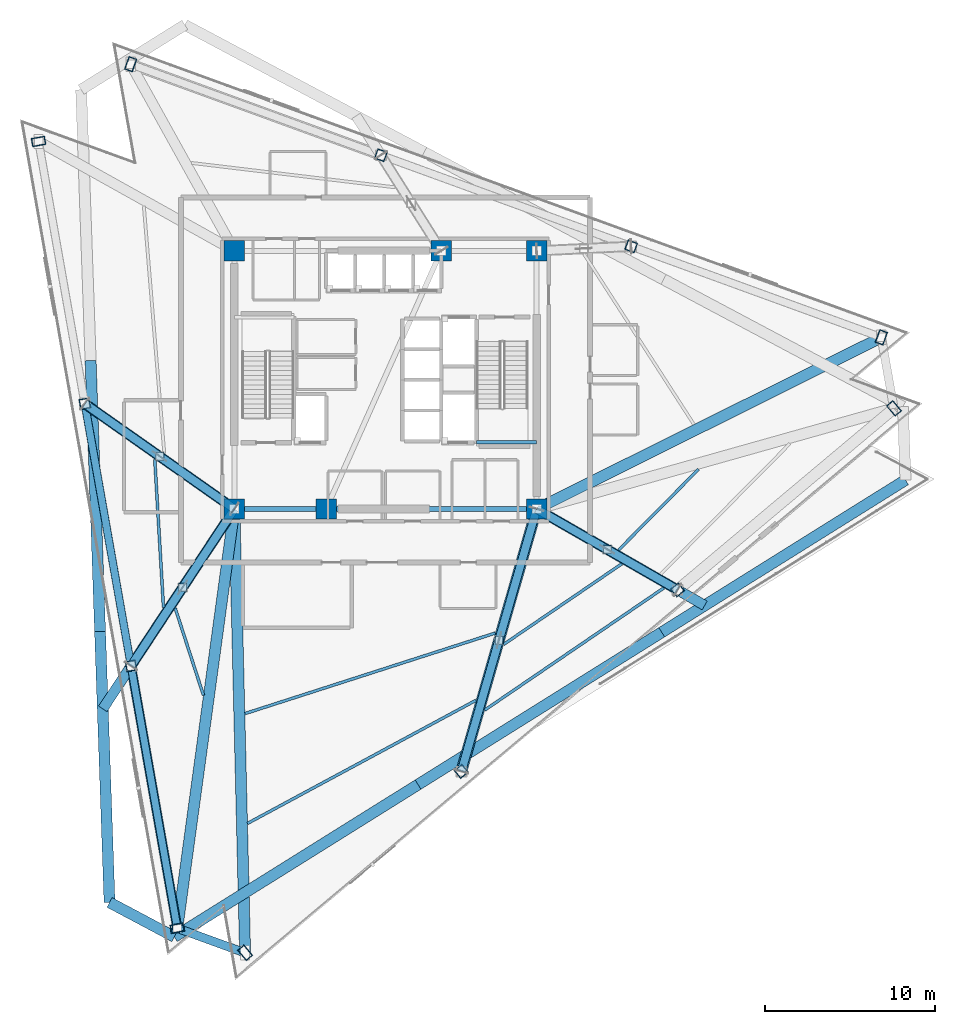
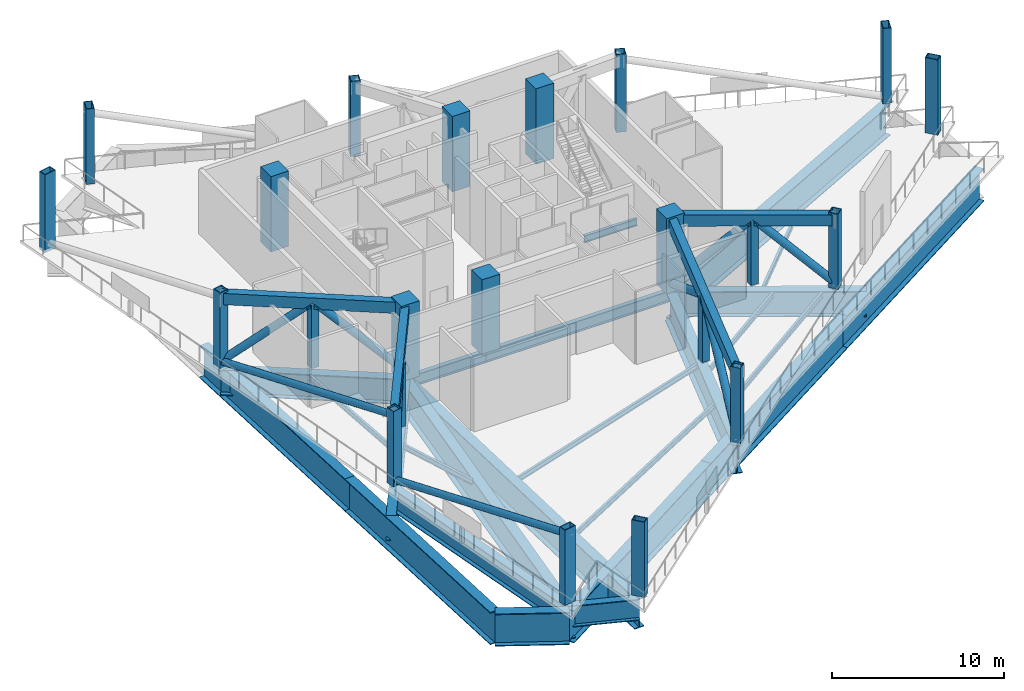
# One storey, part 1 of 15: 25 beams, 18 columns, 18 members.
"""IFC4 building model written with IfcOpenShell, lengths in metres."""

from ifc_helpers import new_model, si_unit, direction, frame, origin, origin_2d, place, context, subcontext, project, spatial, rectangle, hollow_rectangle, hollow_circle, i_section, extrude, material, material_profile, profile_set, type_object, element, save


model = new_model("IFC4")

# Units and contexts
model_context = context("Model", 3, precision=1e-05, world=origin(), true_north=direction((0.0, 1.0)))
body_context = subcontext(model_context, "Body", "Model", "MODEL_VIEW")
ifc_project = project(units=[si_unit("LENGTHUNIT", "METRE"), si_unit("AREAUNIT", "SQUARE_METRE"), si_unit("VOLUMEUNIT", "CUBIC_METRE"), si_unit("PLANEANGLEUNIT", "RADIAN"), si_unit("MASSUNIT", "GRAM", prefix="KILO")], contexts=[model_context])

# Site, building, storey
site_placement = place(None, origin())
site = spatial("IfcSite", under=ifc_project, at=site_placement, CompositionType="ELEMENT")
building_placement = place(site_placement, origin())
building = spatial("IfcBuilding", under=site, at=building_placement, Name="Tharavind Bronze Gate", CompositionType="ELEMENT")
storey_placement = place(building_placement, frame((0.0, 0.0, 165.14990234375)))
storey = spatial("IfcBuildingStorey", under=building, at=storey_placement, Name="L42", CompositionType="ELEMENT", Elevation=165.14990234375)

# Columns
ifc_material_1 = material(Name="Steel S460", Category="steel")
ifc_material_profile_1 = material_profile(ifc_material_1, hollow_rectangle(XDim=0.5, YDim=0.800048828125, WallThickness=0.0400390625, at=origin_2d()), Name="RHS800X500X40")
ifc_profile_set_1 = profile_set([ifc_material_profile_1], Name="Steel S460")
column_type_1 = type_object("IfcColumnType", Name="CORNER NOTCH COLUMN RHS800X500", PredefinedType="COLUMN", material=ifc_profile_set_1)
column_1_placement = place(storey_placement, frame((-20.4326171875, 14.043212890625, -0.19482421875), z_axis=(0.0, 0.0, 1.0), x_axis=(-0.173648177667, 0.984807753012, 0.0)))
element("IfcColumn", 1, at=column_1_placement, inside=storey, type_object=column_type_1, Name="L42 perimeter column S1C1", PredefinedType="COLUMN", context=body_context, shape_type="SweptSolid", body=[
    extrude(hollow_rectangle(XDim=0.5, YDim=0.800048828125, WallThickness=0.0400390625, at=origin_2d()), origin(), (0.0, 0.0, 1.0), 5.544921875),
])
for number, where, z_axis, x_axis, name in (
    (2, (-12.263916015625, -32.2841796875, 0.0), (0.0, 0.0, 1.0), (-0.173648177667, 0.984807753012, 0.0), "L42 perimeter column S1C4"),
    (3, (-8.27197265625, -33.737060546875, 0.0), (0.0, 0.0, 1.0), (0.766043321242, 0.642788946685, 0.0), "L42 perimeter column S2C1"),
    (4, (29.933837890625, -1.6787109375, 0.0), (0.0, 0.0, 1.0), (0.766043321242, 0.642788946685, 0.0), "L42 perimeter column S2C4"),
    (5, (29.1962890625, 2.5048828125, 0.0), (0.0, 0.0, 1.0), (-0.939692023847, 0.342021783398, 0.0), "L42 perimeter column S3C1"),
    (6, (-15.0087890625, 18.59423828125, 0.0), (0.0, 0.0, 1.0), (-0.939692023847, 0.342021783398, 0.0), "L42 perimeter column S3C4"),
):
    element("IfcColumn", number, at=place(storey_placement, frame(where, z_axis=z_axis, x_axis=x_axis)), inside=storey, type_object=column_type_1, Name=name, PredefinedType="COLUMN", context=body_context, shape_type="SweptSolid", body=[
        extrude(hollow_rectangle(XDim=0.5, YDim=0.800048828125, WallThickness=0.0400390625, at=origin_2d()), origin(), (0.0, 0.0, 1.0), 5.35009765625),
    ])
ifc_material_2 = material(Name="Concrete C60/75", Category="concrete")
ifc_material_profile_2 = material_profile(ifc_material_2, rectangle(XDim=1.199951171875, YDim=1.199951171875, at=origin_2d()), Name="RCCOL1200")
ifc_profile_set_2 = profile_set([ifc_material_profile_2], Name="Concrete C60/75")
column_type_2 = type_object("IfcColumnType", Name="MEGA CORE COLUMN 1200", PredefinedType="COLUMN", material=ifc_profile_set_2)
for number, where, z_axis, x_axis, name in (
    (7, (-8.89990234375, -7.60009765625, 0.0), (0.0, 0.0, 1.0), (1.0, 0.0, 0.0), "L42 core mega column MC1"),
    (8, (-3.5, -7.60009765625, 0.0), (0.0, 0.0, 1.0), (1.0, 0.0, 0.0), "L42 core mega column MC2"),
    (9, (8.89990234375, -7.60009765625, 0.0), (0.0, 0.0, 1.0), (1.0, 0.0, 0.0), "L42 core mega column MC3"),
    (10, (8.89990234375, 7.60009765625, 0.0), (0.0, 0.0, 1.0), (1.0, 0.0, 0.0), "L42 core mega column MC4"),
    (11, (3.280029296875, 7.60009765625, 0.0), (0.0, 0.0, 1.0), (1.0, 0.0, 0.0), "L42 core mega column MC5"),
    (12, (-8.89990234375, 7.60009765625, 0.0), (0.0, 0.0, 1.0), (1.0, 0.0, 0.0), "L42 core mega column MC6"),
):
    element("IfcColumn", number, at=place(storey_placement, frame(where, z_axis=z_axis, x_axis=x_axis)), inside=storey, type_object=column_type_2, Name=name, PredefinedType="COLUMN", context=body_context, shape_type="SweptSolid", body=[
        extrude(rectangle(XDim=1.199951171875, YDim=1.199951171875, at=origin_2d()), origin(), (0.0, 0.0, 1.0), 5.35009765625),
    ])
ifc_material_profile_3 = material_profile(ifc_material_1, hollow_rectangle(XDim=0.60009765625, YDim=0.60009765625, WallThickness=0.035888671875, at=origin_2d()), Name="SHS600X36")
ifc_profile_set_3 = profile_set([ifc_material_profile_3], Name="Steel S460")
column_type_3 = type_object("IfcColumnType", Name="PERIMETER BOX COLUMN SHS600", PredefinedType="COLUMN", material=ifc_profile_set_3)
column_2_placement = place(storey_placement, frame((-17.709716796875, -1.3994140625, -0.19482421875), z_axis=(0.0, 0.0, 1.0), x_axis=(-0.173648177667, 0.984807753012, 0.0)))
element("IfcColumn", 13, at=column_2_placement, inside=storey, type_object=column_type_3, Name="L42 perimeter column S1C2", PredefinedType="COLUMN", context=body_context, shape_type="SweptSolid", body=[
    extrude(hollow_rectangle(XDim=0.60009765625, YDim=0.60009765625, WallThickness=0.035888671875, at=origin_2d()), origin(), (0.0, 0.0, 1.0), 5.544921875),
])
column_3_placement = place(storey_placement, frame((-14.98681640625, -16.841796875, 0.0), z_axis=(0.0, 0.0, 1.0), x_axis=(-0.173648177667, 0.984807753012, 0.0)))
element("IfcColumn", 14, at=column_3_placement, inside=storey, type_object=column_type_3, Name="L42 perimeter column S1C3", PredefinedType="COLUMN", context=body_context, shape_type="SweptSolid", body=[
    extrude(hollow_rectangle(XDim=0.60009765625, YDim=0.60009765625, WallThickness=0.035888671875, at=origin_2d()), origin(), (0.0, 0.0, 1.0), 5.35009765625),
])
column_4_placement = place(storey_placement, frame((4.46337890625, -23.05078125, -0.19482421875), z_axis=(0.0, 0.0, 1.0), x_axis=(0.766043321242, 0.642788946685, 0.0)))
element("IfcColumn", 15, at=column_4_placement, inside=storey, type_object=column_type_3, Name="L42 perimeter column S2C2", PredefinedType="COLUMN", context=body_context, shape_type="SweptSolid", body=[
    extrude(hollow_rectangle(XDim=0.60009765625, YDim=0.60009765625, WallThickness=0.035888671875, at=origin_2d()), origin(), (0.0, 0.0, 1.0), 5.544921875),
])
column_5_placement = place(storey_placement, frame((17.198486328125, -12.36474609375, 0.0), z_axis=(0.0, 0.0, 1.0), x_axis=(0.766043321242, 0.642788946685, 0.0)))
element("IfcColumn", 16, at=column_5_placement, inside=storey, type_object=column_type_3, Name="L42 perimeter column S2C3", PredefinedType="COLUMN", context=body_context, shape_type="SweptSolid", body=[
    extrude(hollow_rectangle(XDim=0.60009765625, YDim=0.60009765625, WallThickness=0.035888671875, at=origin_2d()), origin(), (0.0, 0.0, 1.0), 5.35009765625),
])
column_6_placement = place(storey_placement, frame((14.461181640625, 7.867919921875, -0.19482421875), z_axis=(0.0, 0.0, 1.0), x_axis=(-0.939692023847, 0.342021783398, 0.0)))
element("IfcColumn", 17, at=column_6_placement, inside=storey, type_object=column_type_3, Name="L42 perimeter column S3C2", PredefinedType="COLUMN", context=body_context, shape_type="SweptSolid", body=[
    extrude(hollow_rectangle(XDim=0.60009765625, YDim=0.60009765625, WallThickness=0.035888671875, at=origin_2d()), origin(), (0.0, 0.0, 1.0), 5.544921875),
])
column_7_placement = place(storey_placement, frame((-0.27392578125, 13.231201171875, 0.0), z_axis=(0.0, 0.0, 1.0), x_axis=(-0.939692023847, 0.342021783398, 0.0)))
element("IfcColumn", 18, at=column_7_placement, inside=storey, type_object=column_type_3, Name="L42 perimeter column S3C3", PredefinedType="COLUMN", context=body_context, shape_type="SweptSolid", body=[
    extrude(hollow_rectangle(XDim=0.60009765625, YDim=0.60009765625, WallThickness=0.035888671875, at=origin_2d()), origin(), (0.0, 0.0, 1.0), 5.35009765625),
])

# Members
ifc_material_profile_4 = material_profile(ifc_material_1, hollow_circle(Radius=0.228515625, WallThickness=0.02490234375, at=origin_2d()), Name="CHS457X25")
ifc_profile_set_4 = profile_set([ifc_material_profile_4], Name="Steel S460")
member_type_1 = type_object("IfcMemberType", Name="BELT TRUSS BRACE CHS457", PredefinedType="BRACE", material=ifc_profile_set_4)
for number, where, z_axis, x_axis, name in (
    (19, (-17.709716796875, -1.3994140625, 0.25), (0.166711586561, -0.945471287826, 0.279805809094), (0.984807844028, 0.173647661488, 0.0), "L42 belt truss brace 1.2"),
    (20, (-14.98681640625, -16.841796875, 0.25), (0.166711586561, -0.945471287826, 0.279805809094), (0.984807844028, 0.173647661488, 0.0), "L42 belt truss brace 1.3"),
):
    element("IfcMember", number, at=place(storey_placement, frame(where, z_axis=z_axis, x_axis=x_axis)), inside=storey, type_object=member_type_1, Name=name, PredefinedType="BRACE", context=body_context, shape_type="SweptSolid", body=[
        extrude(hollow_circle(Radius=0.228515625, WallThickness=0.02490234375, at=origin_2d()), origin(), (0.0, 0.0, 1.0), 16.3330078125),
    ])
ifc_material_profile_5 = material_profile(ifc_material_1, hollow_circle(Radius=0.25390625, WallThickness=0.031982421875, at=origin_2d()), Name="CHS508X32")
ifc_profile_set_5 = profile_set([ifc_material_profile_5], Name="Steel S460")
member_type_2 = type_object("IfcMemberType", Name="OUTRIGGER DIAGONAL BRACE CHS508", PredefinedType="BRACE", material=ifc_profile_set_5)
member_1_placement = place(storey_placement, frame((-8.89990234375, -7.60009765625, 0.25), z_axis=(-0.623567618617, 0.438913082992, 0.646930236263), x_axis=(-0.575586582352, -0.817740842943, 0.0)))
element("IfcMember", 21, at=member_1_placement, inside=storey, type_object=member_type_2, Name="L42 outrigger diagonal brace 1.1", PredefinedType="BRACE", context=body_context, shape_type="SweptSolid", body=[
    extrude(hollow_circle(Radius=0.25390625, WallThickness=0.031982421875, at=origin_2d()), origin(), (0.0, 0.0, 1.0), 7.064208984375),
])
member_2_placement = place(storey_placement, frame((-13.304931640625, -4.49951171875, 4.820068359375), z_axis=(-0.623565413256, 0.43886673415, -0.646963805052), x_axis=(-0.575547296912, -0.817768493534, 0.0)))
element("IfcMember", 22, at=member_2_placement, inside=storey, type_object=member_type_2, Name="L42 outrigger diagonal brace 1.2", PredefinedType="BRACE", context=body_context, shape_type="SweptSolid", body=[
    extrude(hollow_circle(Radius=0.25390625, WallThickness=0.031982421875, at=origin_2d()), origin(), (0.0, 0.0, 1.0), 7.06396484375),
])
member_3_placement = place(storey_placement, frame((-8.89990234375, -7.60009765625, 0.25), z_axis=(-0.424103014022, -0.643877237556, 0.636834936585), x_axis=(0.835119448541, -0.550068638144, 0.0)))
element("IfcMember", 23, at=member_3_placement, inside=storey, type_object=member_type_2, Name="L42 outrigger diagonal brace 2.1", PredefinedType="BRACE", context=body_context, shape_type="SweptSolid", body=[
    extrude(hollow_circle(Radius=0.25390625, WallThickness=0.031982421875, at=origin_2d()), origin(), (0.0, 0.0, 1.0), 7.17626953125),
])
member_4_placement = place(storey_placement, frame((-11.943359375, -12.220703125, 4.820068359375), z_axis=(-0.424084434134, -0.643917067969, -0.636807036946), x_axis=(0.835146148187, -0.550028100344, 0.0)))
element("IfcMember", 24, at=member_4_placement, inside=storey, type_object=member_type_2, Name="L42 outrigger diagonal brace 2.2", PredefinedType="BRACE", context=body_context, shape_type="SweptSolid", body=[
    extrude(hollow_circle(Radius=0.25390625, WallThickness=0.031982421875, at=origin_2d()), origin(), (0.0, 0.0, 1.0), 7.176513671875),
])
for number, where, z_axis, x_axis, name in (
    (25, (8.89990234375, -7.60009765625, 0.25), (-0.239917789961, -0.835540240782, 0.494279232917), (0.961160902564, -0.275988621834, 0.0), "L42 outrigger diagonal brace 3.1"),
    (26, (6.681640625, -15.325439453125, 4.820068359375), (-0.239917789961, -0.835540240782, -0.494279232917), (0.961160902564, -0.275988621834, 0.0), "L42 outrigger diagonal brace 3.2"),
):
    element("IfcMember", number, at=place(storey_placement, frame(where, z_axis=z_axis, x_axis=x_axis)), inside=storey, type_object=member_type_2, Name=name, PredefinedType="BRACE", context=body_context, shape_type="SweptSolid", body=[
        extrude(hollow_circle(Radius=0.25390625, WallThickness=0.031982421875, at=origin_2d()), origin(), (0.0, 0.0, 1.0), 9.245849609375),
    ])
for number, where, z_axis, x_axis, name in (
    (27, (8.89990234375, -7.60009765625, 0.25), (0.627127273313, -0.360055773887, 0.69070342605), (0.497907317168, 0.867230248268, 0.0), "L42 outrigger diagonal brace 4.1"),
    (28, (13.04931640625, -9.982421875, 4.820068359375), (0.627104885783, -0.360064105647, -0.69071940906), (0.49792935083, 0.867217597597, 0.0), "L42 outrigger diagonal brace 4.2"),
):
    element("IfcMember", number, at=place(storey_placement, frame(where, z_axis=z_axis, x_axis=x_axis)), inside=storey, type_object=member_type_2, Name=name, PredefinedType="BRACE", context=body_context, shape_type="SweptSolid", body=[
        extrude(hollow_circle(Radius=0.25390625, WallThickness=0.031982421875, at=origin_2d()), origin(), (0.0, 0.0, 1.0), 6.616455078125),
    ])
ifc_material_profile_6 = material_profile(ifc_material_1, hollow_rectangle(XDim=0.5, YDim=0.800048828125, WallThickness=0.0400390625, at=origin_2d()), Name="RHS800X500X40")
ifc_profile_set_6 = profile_set([ifc_material_profile_6], Name="Steel S460")
member_type_3 = type_object("IfcMemberType", Name="OUTRIGGER TOP CHORD RHS800", PredefinedType="CHORD", material=ifc_profile_set_6)
member_5_placement = place(storey_placement, frame((-8.89990234375, -7.60009765625, 4.820068359375), z_axis=(-0.817754667857, 0.575566940675, 0.0), x_axis=(-0.575566940675, -0.817754667857, 0.0)))
element("IfcMember", 29, at=member_5_placement, inside=storey, type_object=member_type_3, Name="L42 outrigger top chord 1", PredefinedType="CHORD", context=body_context, shape_type="SweptSolid", body=[
    extrude(hollow_rectangle(XDim=0.5, YDim=0.800048828125, WallThickness=0.0400390625, at=origin_2d()), origin(), (0.0, 0.0, 1.0), 10.773193359375),
])
member_6_placement = place(storey_placement, frame((-8.89990234375, -7.60009765625, 4.820068359375), z_axis=(-0.550048368659, -0.835132799102, 0.0), x_axis=(0.835132799102, -0.550048368659, 0.0)))
element("IfcMember", 30, at=member_6_placement, inside=storey, type_object=member_type_3, Name="L42 outrigger top chord 2", PredefinedType="CHORD", context=body_context, shape_type="SweptSolid", body=[
    extrude(hollow_rectangle(XDim=0.5, YDim=0.800048828125, WallThickness=0.0400390625, at=origin_2d()), origin(), (0.0, 0.0, 1.0), 11.066162109375),
])
member_7_placement = place(storey_placement, frame((8.89990234375, -7.60009765625, 4.820068359375), z_axis=(-0.275988621834, -0.961160902564, 0.0), x_axis=(0.961160902564, -0.275988621834, 0.0)))
element("IfcMember", 31, at=member_7_placement, inside=storey, type_object=member_type_3, Name="L42 outrigger top chord 3", PredefinedType="CHORD", context=body_context, shape_type="SweptSolid", body=[
    extrude(hollow_rectangle(XDim=0.5, YDim=0.800048828125, WallThickness=0.0400390625, at=origin_2d()), origin(), (0.0, 0.0, 1.0), 16.074951171875),
])
member_8_placement = place(storey_placement, frame((8.89990234375, -7.60009765625, 4.820068359375), z_axis=(0.867223923142, -0.497918333796, 0.0), x_axis=(0.497918333796, 0.867223923142, 0.0)))
element("IfcMember", 32, at=member_8_placement, inside=storey, type_object=member_type_3, Name="L42 outrigger top chord 4", PredefinedType="CHORD", context=body_context, shape_type="SweptSolid", body=[
    extrude(hollow_rectangle(XDim=0.5, YDim=0.800048828125, WallThickness=0.0400390625, at=origin_2d()), origin(), (0.0, 0.0, 1.0), 9.569091796875),
])
ifc_material_profile_7 = material_profile(ifc_material_1, hollow_rectangle(XDim=0.5, YDim=0.5, WallThickness=0.031982421875, at=origin_2d()), Name="SHS500X32")
ifc_profile_set_7 = profile_set([ifc_material_profile_7], Name="Steel S460")
member_type_4 = type_object("IfcMemberType", Name="OUTRIGGER VERTICAL STRUT SHS500", PredefinedType="STRUT", material=ifc_profile_set_7)
for number, where, z_axis, x_axis, name in (
    (33, (-13.304931640625, -4.49951171875, 0.25), (0.0, 0.0, 1.0), (1.0, 0.0, 0.0), "L42 outrigger vertical strut 1"),
    (34, (-11.943359375, -12.220703125, 0.25), (0.0, 0.0, 1.0), (1.0, 0.0, 0.0), "L42 outrigger vertical strut 2"),
    (35, (6.681640625, -15.325439453125, 0.25), (0.0, 0.0, 1.0), (1.0, 0.0, 0.0), "L42 outrigger vertical strut 3"),
    (36, (13.04931640625, -9.982421875, 0.25), (0.0, 0.0, 1.0), (1.0, 0.0, 0.0), "L42 outrigger vertical strut 4"),
):
    element("IfcMember", number, at=place(storey_placement, frame(where, z_axis=z_axis, x_axis=x_axis)), inside=storey, type_object=member_type_4, Name=name, PredefinedType="STRUT", context=body_context, shape_type="SweptSolid", body=[
        extrude(hollow_rectangle(XDim=0.5, YDim=0.5, WallThickness=0.031982421875, at=origin_2d()), origin(), (0.0, 0.0, 1.0), 4.570068359375),
    ])

# Beams
ifc_material_3 = material(Name="Steel S355", Category="steel")
ifc_material_profile_8 = material_profile(ifc_material_3, i_section(OverallWidth=0.199951171875, OverallDepth=0.5, WebThickness=0.01025390625, FlangeThickness=0.01611328125, at=origin_2d()), Name="IPE500")
ifc_profile_set_8 = profile_set([ifc_material_profile_8], Name="Steel S355")
beam_type_1 = type_object("IfcBeamType", Name="PRIMARY GIRDER IPE500", PredefinedType="USERDEFINED", material=ifc_profile_set_8)
beam_1_placement = place(storey_placement, frame((5.35009765625, -3.679931640625, 2.22509765625), z_axis=(1.0, 0.0, 0.0), x_axis=(0.0, 1.0, 0.0)))
element("IfcBeam", 37, at=beam_1_placement, inside=storey, type_object=beam_type_1, Name="L42 primary girder ipe500 BM-LD-ST2-L42-1", ObjectType="GIRDER", PredefinedType="USERDEFINED", context=body_context, shape_type="SweptSolid", body=[
    extrude(i_section(OverallWidth=0.199951171875, OverallDepth=0.5, WebThickness=0.01025390625, FlangeThickness=0.01611328125, at=origin_2d()), origin(), (0.0, 0.0, 1.0), 3.5498046875),
])
ifc_material_profile_9 = material_profile(ifc_material_3, i_section(OverallWidth=0.300048828125, OverallDepth=0.800048828125, WebThickness=0.017578125, FlangeThickness=0.032958984375, at=origin_2d()), Name="HE800B")
ifc_profile_set_9 = profile_set([ifc_material_profile_9], Name="Steel S355")
beam_type_2 = type_object("IfcBeamType", Name="RING GIRDER HE800B", PredefinedType="USERDEFINED", material=ifc_profile_set_9)
beam_2_placement = place(storey_placement, frame((-8.89990234375, -7.60009765625, -0.594970703125), z_axis=(1.0, 0.0, 0.0), x_axis=(0.0, 1.0, 0.0)))
element("IfcBeam", 38, at=beam_2_placement, inside=storey, type_object=beam_type_2, Name="L42 ring girder he800b BM-L42-CR1", ObjectType="GIRDER", PredefinedType="USERDEFINED", context=body_context, shape_type="SweptSolid", body=[
    extrude(i_section(OverallWidth=0.300048828125, OverallDepth=0.800048828125, WebThickness=0.017578125, FlangeThickness=0.032958984375, at=origin_2d()), origin(), (0.0, 0.0, 1.0), 5.39990234375),
])
beam_3_placement = place(storey_placement, frame((-3.5, -7.60009765625, -0.594970703125), z_axis=(1.0, 0.0, 0.0), x_axis=(0.0, 1.0, 0.0)))
element("IfcBeam", 39, at=beam_3_placement, inside=storey, type_object=beam_type_2, Name="L42 ring girder he800b BM-L42-CR2", ObjectType="GIRDER", PredefinedType="USERDEFINED", context=body_context, shape_type="SweptSolid", body=[
    extrude(i_section(OverallWidth=0.300048828125, OverallDepth=0.800048828125, WebThickness=0.017578125, FlangeThickness=0.032958984375, at=origin_2d()), origin(), (0.0, 0.0, 1.0), 12.39990234375),
])
ifc_material_profile_10 = material_profile(ifc_material_3, i_section(OverallWidth=0.169921875, OverallDepth=0.360107421875, WebThickness=0.008056640625, FlangeThickness=0.0126953125, at=origin_2d()), Name="IPE360")
ifc_profile_set_10 = profile_set([ifc_material_profile_10], Name="Steel S355")
beam_type_3 = type_object("IfcBeamType", Name="SECONDARY FLOOR JOIST IPE360", PredefinedType="JOIST", material=ifc_profile_set_10)
beam_4_placement = place(storey_placement, frame((-13.59033203125, -4.669189453125, -0.375), z_axis=(0.058758055023, -0.99827225293, 0.0), x_axis=(0.99827225293, 0.058758055023, 0.0)))
element("IfcBeam", 40, at=beam_4_placement, inside=storey, type_object=beam_type_3, Name="L42 secondary floor joist ipe360 BM-L42-JSTA02", PredefinedType="JOIST", context=body_context, shape_type="SweptSolid", body=[
    extrude(i_section(OverallWidth=0.169921875, OverallDepth=0.360107421875, WebThickness=0.008056640625, FlangeThickness=0.0126953125, at=origin_2d()), origin(), (0.0, 0.0, 1.0), 8.738037109375),
])
beam_5_placement = place(storey_placement, frame((-12.384765625, -13.442138671875, -0.375), z_axis=(0.308302958888, -0.951288224221, 0.0), x_axis=(0.951288224221, 0.308302958888, 0.0)))
element("IfcBeam", 41, at=beam_5_placement, inside=storey, type_object=beam_type_3, Name="L42 secondary floor joist ipe360 BM-L42-JSTA03", PredefinedType="JOIST", context=body_context, shape_type="SweptSolid", body=[
    extrude(i_section(OverallWidth=0.169921875, OverallDepth=0.360107421875, WebThickness=0.008056640625, FlangeThickness=0.0126953125, at=origin_2d()), origin(), (0.0, 0.0, 1.0), 5.386474609375),
])
beam_6_placement = place(storey_placement, frame((-8.281494140625, -19.648681640625, -0.375), z_axis=(0.951946513267, 0.30626432355, 0.0), x_axis=(-0.30626432355, 0.951946513267, 0.0)))
element("IfcBeam", 42, at=beam_6_placement, inside=storey, type_object=beam_type_3, Name="L42 secondary floor joist ipe360 BM-L42-JSTA05", PredefinedType="JOIST", context=body_context, shape_type="SweptSolid", body=[
    extrude(i_section(OverallWidth=0.169921875, OverallDepth=0.360107421875, WebThickness=0.008056640625, FlangeThickness=0.0126953125, at=origin_2d()), origin(), (0.0, 0.0, 1.0), 15.486328125),
])
beam_7_placement = place(storey_placement, frame((-8.12646484375, -26.11328125, -0.375), z_axis=(0.880317645889, 0.474384698675, 0.0), x_axis=(-0.474384698675, 0.880317645889, 0.0)))
element("IfcBeam", 43, at=beam_7_placement, inside=storey, type_object=beam_type_3, Name="L42 secondary floor joist ipe360 BM-L42-JSTB05", PredefinedType="JOIST", context=body_context, shape_type="SweptSolid", body=[
    extrude(i_section(OverallWidth=0.169921875, OverallDepth=0.360107421875, WebThickness=0.008056640625, FlangeThickness=0.0126953125, at=origin_2d()), origin(), (0.0, 0.0, 1.0), 15.279296875),
])
beam_8_placement = place(storey_placement, frame((6.9501953125, -15.577392578125, -0.375), z_axis=(0.826193636327, 0.563386257636, 0.0), x_axis=(-0.563386257636, 0.826193636327, 0.0)))
element("IfcBeam", 44, at=beam_8_placement, inside=storey, type_object=beam_type_3, Name="L42 secondary floor joist ipe360 BM-L42-JSTA06", PredefinedType="JOIST", context=body_context, shape_type="SweptSolid", body=[
    extrude(i_section(OverallWidth=0.169921875, OverallDepth=0.360107421875, WebThickness=0.008056640625, FlangeThickness=0.0126953125, at=origin_2d()), origin(), (0.0, 0.0, 1.0), 8.428466796875),
])
beam_9_placement = place(storey_placement, frame((5.841064453125, -19.43994140625, -0.375), z_axis=(0.826199015831, 0.563378368629, 0.0), x_axis=(-0.563378368629, 0.826199015831, 0.0)))
element("IfcBeam", 45, at=beam_9_placement, inside=storey, type_object=beam_type_3, Name="L42 secondary floor joist ipe360 BM-L42-JSTB06", PredefinedType="JOIST", context=body_context, shape_type="SweptSolid", body=[
    extrude(i_section(OverallWidth=0.169921875, OverallDepth=0.360107421875, WebThickness=0.008056640625, FlangeThickness=0.0126953125, at=origin_2d()), origin(), (0.0, 0.0, 1.0), 12.764404296875),
])
beam_10_placement = place(storey_placement, frame((13.72119140625, -10.017822265625, -0.375), z_axis=(0.703490684687, 0.710704479061, 0.0), x_axis=(-0.710704479061, 0.703490684687, 0.0)))
element("IfcBeam", 46, at=beam_10_placement, inside=storey, type_object=beam_type_3, Name="L42 secondary floor joist ipe360 BM-L42-JSTA07", PredefinedType="JOIST", context=body_context, shape_type="SweptSolid", body=[
    extrude(i_section(OverallWidth=0.169921875, OverallDepth=0.360107421875, WebThickness=0.008056640625, FlangeThickness=0.0126953125, at=origin_2d()), origin(), (0.0, 0.0, 1.0), 6.700927734375),
])
ifc_material_profile_11 = material_profile(ifc_material_1, i_section(OverallWidth=0.5, OverallDepth=1.5, WebThickness=0.028076171875, FlangeThickness=0.050048828125, at=origin_2d()), Name="PG1500X500")
ifc_profile_set_11 = profile_set([ifc_material_profile_11], Name="Steel S460")
beam_type_4 = type_object("IfcBeamType", Name="TRANSFER GIRDER 1500X500", PredefinedType="USERDEFINED", material=ifc_profile_set_11)
beam_11_placement = place(storey_placement, frame((-12.263916015625, -32.2841796875, -0.94482421875), z_axis=(0.939697742591, -0.342006070953, 0.0), x_axis=(0.342006070953, 0.939697742591, 0.0)))
element("IfcBeam", 47, at=beam_11_placement, inside=storey, type_object=beam_type_4, Name="L42 transfer girder 1500x500 BM-L42-URG04", ObjectType="TRANSFER GIRDER", PredefinedType="USERDEFINED", context=body_context, shape_type="SweptSolid", body=[
    extrude(i_section(OverallWidth=0.5, OverallDepth=1.5, WebThickness=0.028076171875, FlangeThickness=0.050048828125, at=origin_2d()), origin(), (0.0, 0.0, 1.0), 4.248046875),
])
ifc_material_profile_12 = material_profile(ifc_material_1, i_section(OverallWidth=0.550048828125, OverallDepth=1.60009765625, WebThickness=0.030029296875, FlangeThickness=0.050048828125, at=origin_2d()), Name="PG1600X550")
ifc_profile_set_12 = profile_set([ifc_material_profile_12], Name="Steel S460")
beam_type_5 = type_object("IfcBeamType", Name="TRANSFER GIRDER 1600X550", PredefinedType="USERDEFINED", material=ifc_profile_set_12)
beam_12_placement = place(storey_placement, frame((-14.98681640625, -16.841796875, -0.994873046875), z_axis=(0.173647661488, -0.984807844028, 0.0), x_axis=(0.984807844028, 0.173647661488, 0.0)))
element("IfcBeam", 48, at=beam_12_placement, inside=storey, type_object=beam_type_5, Name="L42 transfer girder 1600x550 BM-L42-URG03", ObjectType="TRANSFER GIRDER", PredefinedType="USERDEFINED", context=body_context, shape_type="SweptSolid", body=[
    extrude(i_section(OverallWidth=0.550048828125, OverallDepth=1.60009765625, WebThickness=0.030029296875, FlangeThickness=0.050048828125, at=origin_2d()), origin(), (0.0, 0.0, 1.0), 15.6806640625),
])
ifc_material_profile_13 = material_profile(ifc_material_1, i_section(OverallWidth=0.60009765625, OverallDepth=1.800048828125, WebThickness=0.031982421875, FlangeThickness=0.054931640625, at=origin_2d()), Name="PG1800X600")
ifc_profile_set_13 = profile_set([ifc_material_profile_13], Name="Steel S460")
beam_type_6 = type_object("IfcBeamType", Name="TRANSFER GIRDER 1800X600", PredefinedType="USERDEFINED", material=ifc_profile_set_13)
beam_13_placement = place(storey_placement, frame((-8.89990234375, -7.60009765625, -1.094970703125), z_axis=(-0.817754667857, 0.575566940675, 0.0), x_axis=(-0.575566940675, -0.817754667857, 0.0)))
element("IfcBeam", 49, at=beam_13_placement, inside=storey, type_object=beam_type_6, Name="L42 transfer girder 1800x600 BM-L42-XFR02", ObjectType="TRANSFER GIRDER", PredefinedType="USERDEFINED", context=body_context, shape_type="SweptSolid", body=[
    extrude(i_section(OverallWidth=0.60009765625, OverallDepth=1.800048828125, WebThickness=0.031982421875, FlangeThickness=0.054931640625, at=origin_2d()), origin(), (0.0, 0.0, 1.0), 10.773193359375),
])
beam_14_placement = place(storey_placement, frame((-8.89990234375, -7.60009765625, -1.094970703125), z_axis=(-0.550042143964, -0.835136898876, 0.0), x_axis=(0.835136898876, -0.550042143964, 0.0)))
element("IfcBeam", 50, at=beam_14_placement, inside=storey, type_object=beam_type_6, Name="L42 transfer girder 1800x600 BM-L42-XFR03", ObjectType="TRANSFER GIRDER", PredefinedType="USERDEFINED", context=body_context, shape_type="SweptSolid", body=[
    extrude(i_section(OverallWidth=0.60009765625, OverallDepth=1.800048828125, WebThickness=0.031982421875, FlangeThickness=0.054931640625, at=origin_2d()), origin(), (0.0, 0.0, 1.0), 14.093017578125),
])
beam_15_placement = place(storey_placement, frame((8.89990234375, -7.60009765625, -1.094970703125), z_axis=(0.867220580294, -0.497924155986, 0.0), x_axis=(0.497924155986, 0.867220580294, 0.0)))
element("IfcBeam", 51, at=beam_15_placement, inside=storey, type_object=beam_type_6, Name="L42 transfer girder 1800x600 BM-L42-XFR07", ObjectType="TRANSFER GIRDER", PredefinedType="USERDEFINED", context=body_context, shape_type="SweptSolid", body=[
    extrude(i_section(OverallWidth=0.60009765625, OverallDepth=1.800048828125, WebThickness=0.031982421875, FlangeThickness=0.054931640625, at=origin_2d()), origin(), (0.0, 0.0, 1.0), 11.4072265625),
])
ifc_material_profile_14 = material_profile(ifc_material_1, i_section(OverallWidth=0.64990234375, OverallDepth=2.199951171875, WebThickness=0.035888671875, FlangeThickness=0.054931640625, at=origin_2d()), Name="PG2200X650")
ifc_profile_set_14 = profile_set([ifc_material_profile_14], Name="Steel S460")
beam_type_7 = type_object("IfcBeamType", Name="TRANSFER GIRDER 2200X650", PredefinedType="USERDEFINED", material=ifc_profile_set_14)
beam_16_placement = place(storey_placement, frame((-8.89990234375, -7.60009765625, -1.294921875), z_axis=(-0.135031566198, -0.990841297146, 0.0), x_axis=(0.990841297146, -0.135031566198, 0.0)))
element("IfcBeam", 52, at=beam_16_placement, inside=storey, type_object=beam_type_7, Name="L42 transfer girder 2200x650 BM-L42-XFR04", ObjectType="TRANSFER GIRDER", PredefinedType="USERDEFINED", context=body_context, shape_type="SweptSolid", body=[
    extrude(i_section(OverallWidth=0.64990234375, OverallDepth=2.199951171875, WebThickness=0.035888671875, FlangeThickness=0.054931640625, at=origin_2d()), origin(), (0.0, 0.0, 1.0), 25.355712890625),
])
beam_17_placement = place(storey_placement, frame((-8.89990234375, -7.60009765625, -1.294921875), z_axis=(0.024017654771, -0.999711534523, 0.0), x_axis=(0.999711534523, 0.024017654771, 0.0)))
element("IfcBeam", 53, at=beam_17_placement, inside=storey, type_object=beam_type_7, Name="L42 transfer girder 2200x650 BM-L42-XFR05", ObjectType="TRANSFER GIRDER", PredefinedType="USERDEFINED", context=body_context, shape_type="SweptSolid", body=[
    extrude(i_section(OverallWidth=0.64990234375, OverallDepth=2.199951171875, WebThickness=0.035888671875, FlangeThickness=0.054931640625, at=origin_2d()), origin(), (0.0, 0.0, 1.0), 26.14453125),
])
beam_18_placement = place(storey_placement, frame((8.89990234375, -7.60009765625, -1.294921875), z_axis=(-0.275988621834, -0.961160902564, 0.0), x_axis=(0.961160902564, -0.275988621834, 0.0)))
element("IfcBeam", 54, at=beam_18_placement, inside=storey, type_object=beam_type_7, Name="L42 transfer girder 2200x650 BM-L42-XFR06", ObjectType="TRANSFER GIRDER", PredefinedType="USERDEFINED", context=body_context, shape_type="SweptSolid", body=[
    extrude(i_section(OverallWidth=0.64990234375, OverallDepth=2.199951171875, WebThickness=0.035888671875, FlangeThickness=0.054931640625, at=origin_2d()), origin(), (0.0, 0.0, 1.0), 16.074951171875),
])
beam_19_placement = place(storey_placement, frame((8.89990234375, -7.60009765625, -1.294921875), z_axis=(0.895188266913, 0.445688194572, 0.0), x_axis=(-0.445688194572, 0.895188266913, 0.0)))
element("IfcBeam", 55, at=beam_19_placement, inside=storey, type_object=beam_type_7, Name="L42 transfer girder 2200x650 BM-L42-XFR09", ObjectType="TRANSFER GIRDER", PredefinedType="USERDEFINED", context=body_context, shape_type="SweptSolid", body=[
    extrude(i_section(OverallWidth=0.64990234375, OverallDepth=2.199951171875, WebThickness=0.035888671875, FlangeThickness=0.054931640625, at=origin_2d()), origin(), (0.0, 0.0, 1.0), 22.6728515625),
])
ifc_material_profile_15 = material_profile(ifc_material_1, i_section(OverallWidth=0.64990234375, OverallDepth=2.300048828125, WebThickness=0.035888671875, FlangeThickness=0.05810546875, at=origin_2d()), Name="PG2300X650")
ifc_profile_set_15 = profile_set([ifc_material_profile_15], Name="Steel S460")
beam_type_8 = type_object("IfcBeamType", Name="TRANSFER GIRDER 2300X650", PredefinedType="USERDEFINED", material=ifc_profile_set_15)
beam_20_placement = place(storey_placement, frame((-17.367919921875, 1.138916015625, -1.344970703125), z_axis=(0.03490159311, -0.999390753809, 0.0), x_axis=(0.999390753809, 0.03490159311, 0.0)))
element("IfcBeam", 56, at=beam_20_placement, inside=storey, type_object=beam_type_8, Name="L42 transfer girder 2300x650 BM-L42-LRG02", ObjectType="TRANSFER GIRDER", PredefinedType="USERDEFINED", context=body_context, shape_type="SweptSolid", body=[
    extrude(i_section(OverallWidth=0.64990234375, OverallDepth=2.300048828125, WebThickness=0.035888671875, FlangeThickness=0.05810546875, at=origin_2d()), origin(), (0.0, 0.0, 1.0), 15.962890625),
])
beam_21_placement = place(storey_placement, frame((-16.810791015625, -14.814208984375, -1.344970703125), z_axis=(0.034901059648, -0.999390772439, 0.0), x_axis=(0.999390772439, 0.034901059648, 0.0)))
element("IfcBeam", 57, at=beam_21_placement, inside=storey, type_object=beam_type_8, Name="L42 transfer girder 2300x650 BM-L42-LRG03", ObjectType="TRANSFER GIRDER", PredefinedType="USERDEFINED", context=body_context, shape_type="SweptSolid", body=[
    extrude(i_section(OverallWidth=0.64990234375, OverallDepth=2.300048828125, WebThickness=0.035888671875, FlangeThickness=0.05810546875, at=origin_2d()), origin(), (0.0, 0.0, 1.0), 15.963134765625),
])
beam_22_placement = place(storey_placement, frame((-16.253662109375, -30.767578125, -1.344970703125), z_axis=(0.882934197132, -0.469496755618, 0.0), x_axis=(0.469496755618, 0.882934197132, 0.0)))
element("IfcBeam", 58, at=beam_22_placement, inside=storey, type_object=beam_type_8, Name="L42 transfer girder 2300x650 BM-L42-LRG04", ObjectType="TRANSFER GIRDER", PredefinedType="USERDEFINED", context=body_context, shape_type="SweptSolid", body=[
    extrude(i_section(OverallWidth=0.64990234375, OverallDepth=2.300048828125, WebThickness=0.035888671875, FlangeThickness=0.05810546875, at=origin_2d()), origin(), (0.0, 0.0, 1.0), 4.3203125),
])
for number, where, z_axis, x_axis, name in (
    (59, (-12.439208984375, -32.7958984375, -1.344970703125), (0.84804368744, 0.529926319589, 0.0), (-0.529926319589, 0.84804368744, 0.0), "L42 transfer girder 2300x650 BM-L42-LRG05"),
    (60, (1.912353515625, -23.827880859375, -1.344970703125), (0.848050170677, 0.529915944293, 0.0), (-0.529915944293, 0.848050170677, 0.0), "L42 transfer girder 2300x650 BM-L42-LRG06"),
    (61, (16.263916015625, -14.860107421875, -1.344970703125), (0.84804368744, 0.529926319589, 0.0), (-0.529926319589, 0.84804368744, 0.0), "L42 transfer girder 2300x650 BM-L42-LRG07"),
):
    element("IfcBeam", number, at=place(storey_placement, frame(where, z_axis=z_axis, x_axis=x_axis)), inside=storey, type_object=beam_type_8, Name=name, ObjectType="TRANSFER GIRDER", PredefinedType="USERDEFINED", context=body_context, shape_type="SweptSolid", body=[
        extrude(i_section(OverallWidth=0.64990234375, OverallDepth=2.300048828125, WebThickness=0.035888671875, FlangeThickness=0.05810546875, at=origin_2d()), origin(), (0.0, 0.0, 1.0), 16.923095703125),
    ])

save(model, "model.ifc")
